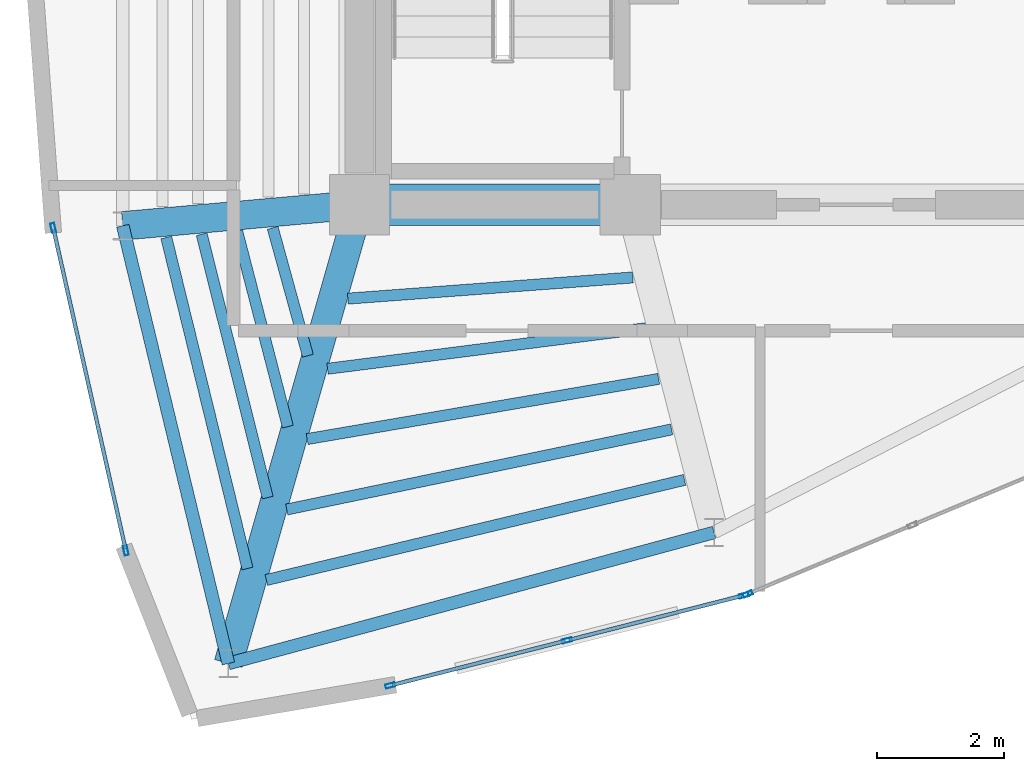
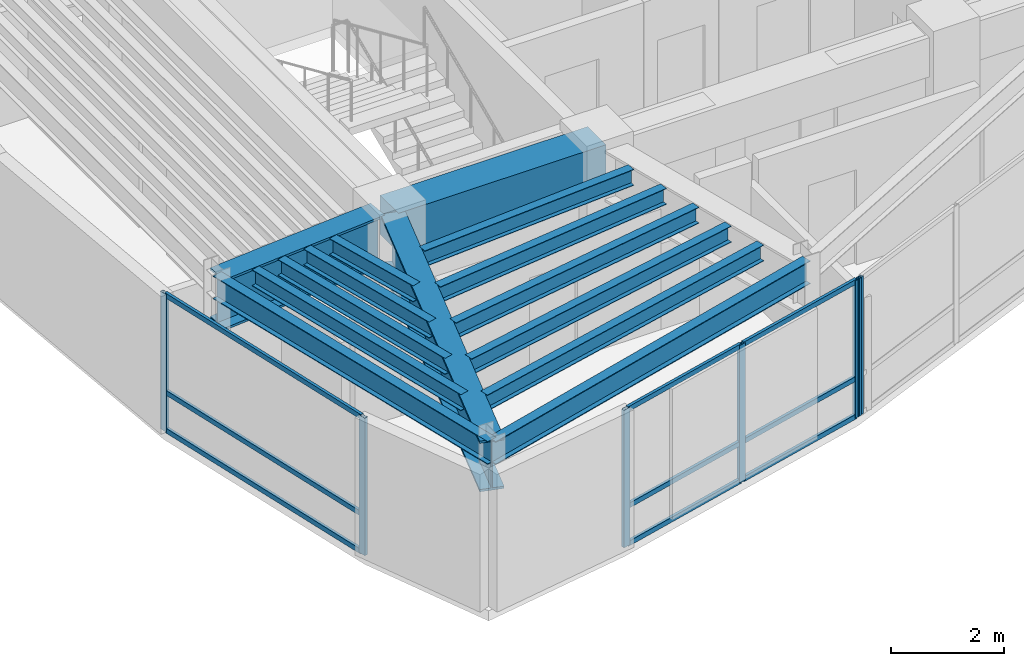
# One storey, part 2 of 14: 15 members, 14 beams, 3 elements without a shape of their own.
"""IFC4 building model written with IfcOpenShell, lengths in metres."""

from ifc_helpers import new_model, si_unit, direction, frame, origin, origin_2d, place, context, subcontext, project, spatial, rectangle, hollow_rectangle, i_section, extrude, material, layer, layer_set, material_profile, profile_set, type_object, element, aggregate, save


model = new_model("IFC4")

# Units and contexts
model_context = context("Model", 3, precision=1e-05, world=origin(), true_north=direction((0.0, 1.0)))
body_context = subcontext(model_context, "Body", "Model", "MODEL_VIEW")
ifc_project = project(units=[si_unit("LENGTHUNIT", "METRE"), si_unit("AREAUNIT", "SQUARE_METRE"), si_unit("VOLUMEUNIT", "CUBIC_METRE"), si_unit("PLANEANGLEUNIT", "RADIAN"), si_unit("MASSUNIT", "GRAM", prefix="KILO")], contexts=[model_context])

# Site, building, storey
site_placement = place(None, origin())
site = spatial("IfcSite", under=ifc_project, at=site_placement, CompositionType="ELEMENT")
building_placement = place(site_placement, origin())
building = spatial("IfcBuilding", under=site, at=building_placement, Name="Menara Vayukalpa", CompositionType="ELEMENT")
storey_placement = place(building_placement, frame((0.0, 0.0, 308.820068359375)))
storey = spatial("IfcBuildingStorey", under=building, at=storey_placement, Name="L79", CompositionType="ELEMENT", Elevation=308.820068359375)

# Beams
ifc_material_1 = material(Name="Concrete C60/75", Category="concrete")
ifc_material_profile_1 = material_profile(ifc_material_1, rectangle(XDim=0.64990234375, YDim=0.85009765625, at=origin_2d()), Name="RC 650x850")
ifc_profile_set_1 = profile_set([ifc_material_profile_1], Name="Concrete C60/75")
beam_type_1 = type_object("IfcBeamType", Name="BM-CB1", PredefinedType="BEAM", material=ifc_profile_set_1)
beam_1_placement = place(storey_placement, frame((17.800048828125, 17.199951171875, 2.554931640625), z_axis=(1.0, 0.0, 0.0), x_axis=(0.0, 1.0, 0.0)))
element("IfcBeam", 1, at=beam_1_placement, inside=storey, type_object=beam_type_1, Name="L79 Core Tie Beam CBR1", PredefinedType="BEAM", context=body_context, shape_type="SweptSolid", body=[
    extrude(rectangle(XDim=0.64990234375, YDim=0.85009765625, at=origin_2d()), origin(), (0.0, 0.0, 1.0), 4.25),
])
ifc_material_2 = material(Name="Steel S460", Category="steel")
ifc_material_profile_2 = material_profile(ifc_material_2, i_section(OverallWidth=0.449951171875, OverallDepth=1.10009765625, WebThickness=0.02490234375, FlangeThickness=0.050048828125, at=origin_2d()), Name="WG 1100x450x25x50")
ifc_profile_set_2 = profile_set([ifc_material_profile_2], Name="Steel S460")
beam_type_2 = type_object("IfcBeamType", Name="BM-MTG1", PredefinedType="BEAM", material=ifc_profile_set_2)
beam_2_placement = place(storey_placement, frame((17.551025390625, 17.177734375, 2.429931640625), z_axis=(-0.996018615253, -0.089145488221, 0.0), x_axis=(0.089145488221, -0.996018615253, 0.0)))
element("IfcBeam", 2, at=beam_2_placement, inside=storey, type_object=beam_type_2, Name="L79 Primary Radial Girder RG06", PredefinedType="BEAM", context=body_context, shape_type="SweptSolid", body=[
    extrude(i_section(OverallWidth=0.449951171875, OverallDepth=1.10009765625, WebThickness=0.02490234375, FlangeThickness=0.050048828125, at=origin_2d()), origin(), (0.0, 0.0, 1.0), 3.483642578125),
])
beam_3_placement = place(storey_placement, frame((17.731201171875, 16.959716796875, 2.429931640625), z_axis=(-0.274721127897, -0.961523947641, 0.0), x_axis=(0.961523947641, -0.274721127897, 0.0)))
element("IfcBeam", 3, at=beam_3_placement, inside=storey, type_object=beam_type_2, Name="L79 Primary Radial Girder RG07", PredefinedType="BEAM", context=body_context, shape_type="SweptSolid", body=[
    extrude(i_section(OverallWidth=0.449951171875, OverallDepth=1.10009765625, WebThickness=0.02490234375, FlangeThickness=0.050048828125, at=origin_2d()), origin(), (0.0, 0.0, 1.0), 7.246337890625),
])
ifc_material_3 = material(Name="Steel S355", Category="steel")
ifc_material_profile_3 = material_profile(ifc_material_3, i_section(OverallWidth=0.175048828125, OverallDepth=0.35009765625, WebThickness=0.007080078125, FlangeThickness=0.010986328125, at=origin_2d()), Name="WF 350x175x7x11")
ifc_profile_set_3 = profile_set([ifc_material_profile_3], Name="Steel S355")
beam_type_3 = type_object("IfcBeamType", Name="BM-SJ3", PredefinedType="JOIST", material=ifc_profile_set_3)
beam_4_placement = place(storey_placement, frame((16.436279296875, 16.8359375, 2.804931640625), z_axis=(0.265485960503, -0.964114725941, 0.0), x_axis=(0.964114725941, 0.265485960503, 0.0)))
element("IfcBeam", 4, at=beam_4_placement, inside=storey, type_object=beam_type_3, Name="L79 Secondary Floor Joist SJ06-2", PredefinedType="JOIST", context=body_context, shape_type="SweptSolid", body=[
    extrude(i_section(OverallWidth=0.175048828125, OverallDepth=0.35009765625, WebThickness=0.007080078125, FlangeThickness=0.010986328125, at=origin_2d()), origin(), (0.0, 0.0, 1.0), 2.083740234375),
])
beam_5_placement = place(storey_placement, frame((15.877685546875, 16.785400390625, 2.804931640625), z_axis=(0.250996862559, -0.967987900227, 0.0), x_axis=(0.967987900227, 0.250996862559, 0.0)))
element("IfcBeam", 5, at=beam_5_placement, inside=storey, type_object=beam_type_3, Name="L79 Secondary Floor Joist SJ06-3", PredefinedType="JOIST", context=body_context, shape_type="SweptSolid", body=[
    extrude(i_section(OverallWidth=0.175048828125, OverallDepth=0.35009765625, WebThickness=0.007080078125, FlangeThickness=0.010986328125, at=origin_2d()), origin(), (0.0, 0.0, 1.0), 3.173828125),
])
beam_6_placement = place(storey_placement, frame((15.32080078125, 16.735107421875, 2.804931640625), z_axis=(0.243209126808, -0.969973876265, 0.0), x_axis=(0.969973876265, 0.243209126808, 0.0)))
element("IfcBeam", 6, at=beam_6_placement, inside=storey, type_object=beam_type_3, Name="L79 Secondary Floor Joist SJ06-4", PredefinedType="JOIST", context=body_context, shape_type="SweptSolid", body=[
    extrude(i_section(OverallWidth=0.175048828125, OverallDepth=0.35009765625, WebThickness=0.007080078125, FlangeThickness=0.010986328125, at=origin_2d()), origin(), (0.0, 0.0, 1.0), 4.26416015625),
])
beam_7_placement = place(storey_placement, frame((14.764404296875, 16.68505859375, 2.804931640625), z_axis=(0.238306723875, -0.971189942985, 0.0), x_axis=(0.971189942985, 0.238306723875, 0.0)))
element("IfcBeam", 7, at=beam_7_placement, inside=storey, type_object=beam_type_3, Name="L79 Secondary Floor Joist SJ06-5", PredefinedType="JOIST", context=body_context, shape_type="SweptSolid", body=[
    extrude(i_section(OverallWidth=0.175048828125, OverallDepth=0.35009765625, WebThickness=0.007080078125, FlangeThickness=0.010986328125, at=origin_2d()), origin(), (0.0, 0.0, 1.0), 5.35498046875),
])
beam_8_placement = place(storey_placement, frame((17.6171875, 15.7236328125, 2.804931640625), z_axis=(0.997249175421, 0.074122075804, 0.0), x_axis=(-0.074122075804, 0.997249175421, 0.0)))
element("IfcBeam", 8, at=beam_8_placement, inside=storey, type_object=beam_type_3, Name="L79 Secondary Floor Joist SJ07-1", PredefinedType="JOIST", context=body_context, shape_type="SweptSolid", body=[
    extrude(i_section(OverallWidth=0.175048828125, OverallDepth=0.35009765625, WebThickness=0.007080078125, FlangeThickness=0.010986328125, at=origin_2d()), origin(), (0.0, 0.0, 1.0), 4.489501953125),
])
beam_9_placement = place(storey_placement, frame((17.297607421875, 14.62158203125, 2.804931640625), z_axis=(0.991987539287, 0.126335750682, 0.0), x_axis=(-0.126335750682, 0.991987539287, 0.0)))
element("IfcBeam", 9, at=beam_9_placement, inside=storey, type_object=beam_type_3, Name="L79 Secondary Floor Joist SJ07-2", PredefinedType="JOIST", context=body_context, shape_type="SweptSolid", body=[
    extrude(i_section(OverallWidth=0.175048828125, OverallDepth=0.35009765625, WebThickness=0.007080078125, FlangeThickness=0.010986328125, at=origin_2d()), origin(), (0.0, 0.0, 1.0), 5.039794921875),
])
beam_10_placement = place(storey_placement, frame((16.977294921875, 13.517333984375, 2.804931640625), z_axis=(0.985657685594, 0.168757005274, 0.0), x_axis=(-0.168757005274, 0.985657685594, 0.0)))
element("IfcBeam", 10, at=beam_10_placement, inside=storey, type_object=beam_type_3, Name="L79 Secondary Floor Joist SJ07-3", PredefinedType="JOIST", context=body_context, shape_type="SweptSolid", body=[
    extrude(i_section(OverallWidth=0.175048828125, OverallDepth=0.35009765625, WebThickness=0.007080078125, FlangeThickness=0.010986328125, at=origin_2d()), origin(), (0.0, 0.0, 1.0), 5.60302734375),
])
beam_11_placement = place(storey_placement, frame((16.6572265625, 12.4111328125, 2.804931640625), z_axis=(0.979027428924, 0.203728479637, 0.0), x_axis=(-0.203728479637, 0.979027428924, 0.0)))
element("IfcBeam", 11, at=beam_11_placement, inside=storey, type_object=beam_type_3, Name="L79 Secondary Floor Joist SJ07-4", PredefinedType="JOIST", context=body_context, shape_type="SweptSolid", body=[
    extrude(i_section(OverallWidth=0.175048828125, OverallDepth=0.35009765625, WebThickness=0.007080078125, FlangeThickness=0.010986328125, at=origin_2d()), origin(), (0.0, 0.0, 1.0), 6.175048828125),
])
beam_12_placement = place(storey_placement, frame((16.337158203125, 11.303466796875, 2.804931640625), z_axis=(0.972497430752, 0.232913604541, 0.0), x_axis=(-0.232913604541, 0.972497430752, 0.0)))
element("IfcBeam", 12, at=beam_12_placement, inside=storey, type_object=beam_type_3, Name="L79 Secondary Floor Joist SJ07-5", PredefinedType="JOIST", context=body_context, shape_type="SweptSolid", body=[
    extrude(i_section(OverallWidth=0.175048828125, OverallDepth=0.35009765625, WebThickness=0.007080078125, FlangeThickness=0.010986328125, at=origin_2d()), origin(), (0.0, 0.0, 1.0), 6.754638671875),
])
ifc_material_4 = material(Name="Steel S355", Category="steel")
ifc_material_profile_4 = material_profile(ifc_material_4, i_section(OverallWidth=0.199951171875, OverallDepth=0.5, WebThickness=0.010009765625, FlangeThickness=0.01611328125, at=origin_2d()), Name="WF 500x200x10x16")
ifc_profile_set_4 = profile_set([ifc_material_profile_4], Name="Steel S355")
beam_type_4 = type_object("IfcBeamType", Name="BM-SP3", PredefinedType="SPANDREL", material=ifc_profile_set_4)
beam_13_placement = place(storey_placement, frame((14.081298828125, 16.8671875, 2.72998046875), z_axis=(0.234600039411, -0.97209198202, 0.0), x_axis=(0.97209198202, 0.234600039411, 0.0)))
element("IfcBeam", 13, at=beam_13_placement, inside=storey, type_object=beam_type_4, Name="L79 Perimeter Spandrel Beam SP06", PredefinedType="SPANDREL", context=body_context, shape_type="SweptSolid", body=[
    extrude(i_section(OverallWidth=0.199951171875, OverallDepth=0.5, WebThickness=0.010009765625, FlangeThickness=0.01611328125, at=origin_2d()), origin(), (0.0, 0.0, 1.0), 7.072265625),
])
beam_14_placement = place(storey_placement, frame((15.740478515625, 9.9921875, 2.72998046875), z_axis=(0.965485889412, 0.260455365361, 0.0), x_axis=(-0.260455365361, 0.965485889412, 0.0)))
element("IfcBeam", 14, at=beam_14_placement, inside=storey, type_object=beam_type_4, Name="L79 Perimeter Spandrel Beam SP07", PredefinedType="SPANDREL", context=body_context, shape_type="SweptSolid", body=[
    extrude(i_section(OverallWidth=0.199951171875, OverallDepth=0.5, WebThickness=0.010009765625, FlangeThickness=0.01611328125, at=origin_2d()), origin(), (0.0, 0.0, 1.0), 7.90283203125),
])

# Curtain wall, members
ifc_material_5 = material(Name="Anodised Terracotta Aluminium Alloy 6063-T6", Category="masonry")
ifc_layer = layer(ifc_material_5, 0.14990234375)
ifc_layer_set = layer_set([ifc_layer], Name="Anodised Terracotta Aluminium Alloy 6063-T6")
curtain_wall_type = type_object("IfcCurtainWallType", Name="CW-CW7", PredefinedType="USERDEFINED", material=ifc_layer_set)
curtain_wall_1_placement = place(storey_placement, origin())
curtain_wall_1 = element("IfcCurtainWall", 15, at=curtain_wall_1_placement, inside=storey, type_object=curtain_wall_type, Name="L79 Crown Drum Screened Curtain Wall CW7 12", ObjectType="UNITISED", PredefinedType="USERDEFINED")
ifc_material_6 = material(Name="Anodised Terracotta Aluminium Alloy 6063-T6", Category="masonry")
ifc_material_profile_5 = material_profile(ifc_material_6, hollow_rectangle(XDim=0.06494140625, YDim=0.14990234375, WallThickness=0.00341796875, at=origin_2d()), Name="ALU 65x150x3.5")
ifc_profile_set_5 = profile_set([ifc_material_profile_5], Name="Anodised Terracotta Aluminium Alloy 6063-T6")
member_type_1 = type_object("IfcMemberType", Name="CWM-CW7", PredefinedType="MULLION", material=ifc_profile_set_5)
member_1_placement = place(storey_placement, frame((12.988525390625, 16.83544921875, 0.0), z_axis=(0.0, 0.0, 1.0), x_axis=(0.975608941973, 0.219515813421, 0.0)))
member_1 = element("IfcMember", 16, at=member_1_placement, type_object=member_type_1, Name="CW7 mullion 1", PredefinedType="MULLION", context=body_context, shape_type="SweptSolid", body=[
    extrude(hollow_rectangle(XDim=0.06494140625, YDim=0.14990234375, WallThickness=0.00341796875, at=origin_2d()), origin(), (0.0, 0.0, 1.0), 2.97998046875),
])
member_2_placement = place(storey_placement, frame((14.129150390625, 11.76611328125, 0.0), z_axis=(0.0, 0.0, 1.0), x_axis=(0.975608941973, 0.219515813421, 0.0)))
member_2 = element("IfcMember", 17, at=member_2_placement, type_object=member_type_1, Name="CW7 mullion 2", PredefinedType="MULLION", context=body_context, shape_type="SweptSolid", body=[
    extrude(hollow_rectangle(XDim=0.06494140625, YDim=0.14990234375, WallThickness=0.00341796875, at=origin_2d()), origin(), (0.0, 0.0, 1.0), 2.97998046875),
])

curtain_wall_2_placement = place(storey_placement, origin())
curtain_wall_2 = element("IfcCurtainWall", 18, at=curtain_wall_2_placement, inside=storey, type_object=curtain_wall_type, Name="L79 Crown Drum Screened Curtain Wall CW7 15", ObjectType="UNITISED", PredefinedType="USERDEFINED")
member_3_placement = place(storey_placement, frame((18.284423828125, 9.64599609375, 0.0), z_axis=(0.0, 0.0, 1.0), x_axis=(-0.247123764219, 0.968983924097, 0.0)))
member_3 = element("IfcMember", 19, at=member_3_placement, type_object=member_type_1, Name="CW7 mullion 1", PredefinedType="MULLION", context=body_context, shape_type="SweptSolid", body=[
    extrude(hollow_rectangle(XDim=0.06494140625, YDim=0.14990234375, WallThickness=0.00341796875, at=origin_2d()), origin(), (0.0, 0.0, 1.0), 2.97998046875),
])
member_4_placement = place(storey_placement, frame((21.0615234375, 10.354248046875, 0.0), z_axis=(0.0, 0.0, 1.0), x_axis=(-0.247123764219, 0.968983924097, 0.0)))
member_4 = element("IfcMember", 20, at=member_4_placement, type_object=member_type_1, Name="CW7 mullion 2", PredefinedType="MULLION", context=body_context, shape_type="SweptSolid", body=[
    extrude(hollow_rectangle(XDim=0.06494140625, YDim=0.14990234375, WallThickness=0.00341796875, at=origin_2d()), origin(), (0.0, 0.0, 1.0), 2.97998046875),
])
member_5_placement = place(storey_placement, frame((23.83837890625, 11.062255859375, 0.0), z_axis=(0.0, 0.0, 1.0), x_axis=(-0.247123764219, 0.968983924097, 0.0)))
member_5 = element("IfcMember", 21, at=member_5_placement, type_object=member_type_1, Name="CW7 mullion 3", PredefinedType="MULLION", context=body_context, shape_type="SweptSolid", body=[
    extrude(hollow_rectangle(XDim=0.06494140625, YDim=0.14990234375, WallThickness=0.00341796875, at=origin_2d()), origin(), (0.0, 0.0, 1.0), 2.97998046875),
])

# Curtain wall, member
curtain_wall_3_placement = place(storey_placement, origin())
curtain_wall_3 = element("IfcCurtainWall", 22, at=curtain_wall_3_placement, inside=storey, type_object=curtain_wall_type, Name="L79 Crown Drum Screened Curtain Wall CW7 16", ObjectType="UNITISED", PredefinedType="USERDEFINED")
member_6_placement = place(storey_placement, frame((23.89990234375, 11.0830078125, 0.0), z_axis=(0.0, 0.0, 1.0), x_axis=(-0.385898361946, 0.922541302191, 0.0)))
member_6 = element("IfcMember", 23, at=member_6_placement, type_object=member_type_1, Name="CW7 mullion 1", PredefinedType="MULLION", context=body_context, shape_type="SweptSolid", body=[
    extrude(hollow_rectangle(XDim=0.06494140625, YDim=0.14990234375, WallThickness=0.00341796875, at=origin_2d()), origin(), (0.0, 0.0, 1.0), 2.97998046875),
])
aggregate(curtain_wall_3, [member_6])

# Member
ifc_material_7 = material(Name="Anodised Terracotta Aluminium Alloy 6063-T6", Category="masonry")
ifc_material_profile_6 = material_profile(ifc_material_7, hollow_rectangle(XDim=0.06005859375, YDim=0.10498046875, WallThickness=0.0029296875, at=origin_2d()), Name="ALU 60x105x3")
ifc_profile_set_6 = profile_set([ifc_material_profile_6], Name="Anodised Terracotta Aluminium Alloy 6063-T6")
member_type_2 = type_object("IfcMemberType", Name="CWT-CW7", PredefinedType="USERDEFINED", material=ifc_profile_set_6)
member_7_placement = place(storey_placement, frame((12.99560546875, 16.8037109375, 0.030029296875), z_axis=(0.219539368084, -0.975603641784, 0.0), x_axis=(0.975603641784, 0.219539368084, 0.0)))
member_7 = element("IfcMember", 24, at=member_7_placement, type_object=member_type_2, Name="CW7 transom 1.1", ObjectType="TRANSOM", PredefinedType="USERDEFINED", context=body_context, shape_type="SweptSolid", body=[
    extrude(hollow_rectangle(XDim=0.06005859375, YDim=0.10498046875, WallThickness=0.0029296875, at=origin_2d()), origin(), (0.0, 0.0, 1.0), 5.131103515625),
])

member_8_placement = place(storey_placement, frame((12.99560546875, 16.8037109375, 0.849853515625), z_axis=(0.219539368084, -0.975603641784, 0.0), x_axis=(0.975603641784, 0.219539368084, 0.0)))
member_8 = element("IfcMember", 25, at=member_8_placement, type_object=member_type_2, Name="CW7 transom 1.2", ObjectType="TRANSOM", PredefinedType="USERDEFINED", context=body_context, shape_type="SweptSolid", body=[
    extrude(hollow_rectangle(XDim=0.06005859375, YDim=0.10498046875, WallThickness=0.0029296875, at=origin_2d()), origin(), (0.0, 0.0, 1.0), 5.131103515625),
])

member_9_placement = place(storey_placement, frame((12.99560546875, 16.8037109375, 2.949951171875), z_axis=(0.219539368084, -0.975603641784, 0.0), x_axis=(0.975603641784, 0.219539368084, 0.0)))
member_9 = element("IfcMember", 26, at=member_9_placement, type_object=member_type_2, Name="CW7 transom 1.3", ObjectType="TRANSOM", PredefinedType="USERDEFINED", context=body_context, shape_type="SweptSolid", body=[
    extrude(hollow_rectangle(XDim=0.06005859375, YDim=0.10498046875, WallThickness=0.0029296875, at=origin_2d()), origin(), (0.0, 0.0, 1.0), 5.131103515625),
])

aggregate(curtain_wall_1, [member_1, member_2, member_7, member_8, member_9])

member_10_placement = place(storey_placement, frame((18.31591796875, 9.654052734375, 0.030029296875), z_axis=(0.968988349591, 0.247106411, 0.0), x_axis=(-0.247106411, 0.968988349591, 0.0)))
member_10 = element("IfcMember", 27, at=member_10_placement, type_object=member_type_2, Name="CW7 transom 1.1", ObjectType="TRANSOM", PredefinedType="USERDEFINED", context=body_context, shape_type="SweptSolid", body=[
    extrude(hollow_rectangle(XDim=0.06005859375, YDim=0.10498046875, WallThickness=0.0029296875, at=origin_2d()), origin(), (0.0, 0.0, 1.0), 2.801025390625),
])

member_11_placement = place(storey_placement, frame((18.31591796875, 9.654052734375, 0.849853515625), z_axis=(0.968988349591, 0.247106411, 0.0), x_axis=(-0.247106411, 0.968988349591, 0.0)))
member_11 = element("IfcMember", 28, at=member_11_placement, type_object=member_type_2, Name="CW7 transom 1.2", ObjectType="TRANSOM", PredefinedType="USERDEFINED", context=body_context, shape_type="SweptSolid", body=[
    extrude(hollow_rectangle(XDim=0.06005859375, YDim=0.10498046875, WallThickness=0.0029296875, at=origin_2d()), origin(), (0.0, 0.0, 1.0), 2.801025390625),
])

member_12_placement = place(storey_placement, frame((18.31591796875, 9.654052734375, 2.949951171875), z_axis=(0.968988349591, 0.247106411, 0.0), x_axis=(-0.247106411, 0.968988349591, 0.0)))
member_12 = element("IfcMember", 29, at=member_12_placement, type_object=member_type_2, Name="CW7 transom 1.3", ObjectType="TRANSOM", PredefinedType="USERDEFINED", context=body_context, shape_type="SweptSolid", body=[
    extrude(hollow_rectangle(XDim=0.06005859375, YDim=0.10498046875, WallThickness=0.0029296875, at=origin_2d()), origin(), (0.0, 0.0, 1.0), 2.801025390625),
])

member_13_placement = place(storey_placement, frame((21.093017578125, 10.362060546875, 0.030029296875), z_axis=(0.968962149671, 0.247209127066, 0.0), x_axis=(-0.247209127066, 0.968962149671, 0.0)))
member_13 = element("IfcMember", 30, at=member_13_placement, type_object=member_type_2, Name="CW7 transom 2.1", ObjectType="TRANSOM", PredefinedType="USERDEFINED", context=body_context, shape_type="SweptSolid", body=[
    extrude(hollow_rectangle(XDim=0.06005859375, YDim=0.10498046875, WallThickness=0.0029296875, at=origin_2d()), origin(), (0.0, 0.0, 1.0), 2.80078125),
])

member_14_placement = place(storey_placement, frame((21.093017578125, 10.362060546875, 0.849853515625), z_axis=(0.968962149671, 0.247209127066, 0.0), x_axis=(-0.247209127066, 0.968962149671, 0.0)))
member_14 = element("IfcMember", 31, at=member_14_placement, type_object=member_type_2, Name="CW7 transom 2.2", ObjectType="TRANSOM", PredefinedType="USERDEFINED", context=body_context, shape_type="SweptSolid", body=[
    extrude(hollow_rectangle(XDim=0.06005859375, YDim=0.10498046875, WallThickness=0.0029296875, at=origin_2d()), origin(), (0.0, 0.0, 1.0), 2.80078125),
])

member_15_placement = place(storey_placement, frame((21.093017578125, 10.362060546875, 2.949951171875), z_axis=(0.968962149671, 0.247209127066, 0.0), x_axis=(-0.247209127066, 0.968962149671, 0.0)))
member_15 = element("IfcMember", 32, at=member_15_placement, type_object=member_type_2, Name="CW7 transom 2.3", ObjectType="TRANSOM", PredefinedType="USERDEFINED", context=body_context, shape_type="SweptSolid", body=[
    extrude(hollow_rectangle(XDim=0.06005859375, YDim=0.10498046875, WallThickness=0.0029296875, at=origin_2d()), origin(), (0.0, 0.0, 1.0), 2.80078125),
])

aggregate(curtain_wall_2, [member_3, member_4, member_5, member_10, member_11, member_12, member_13, member_14, member_15])

save(model, "model.ifc")
